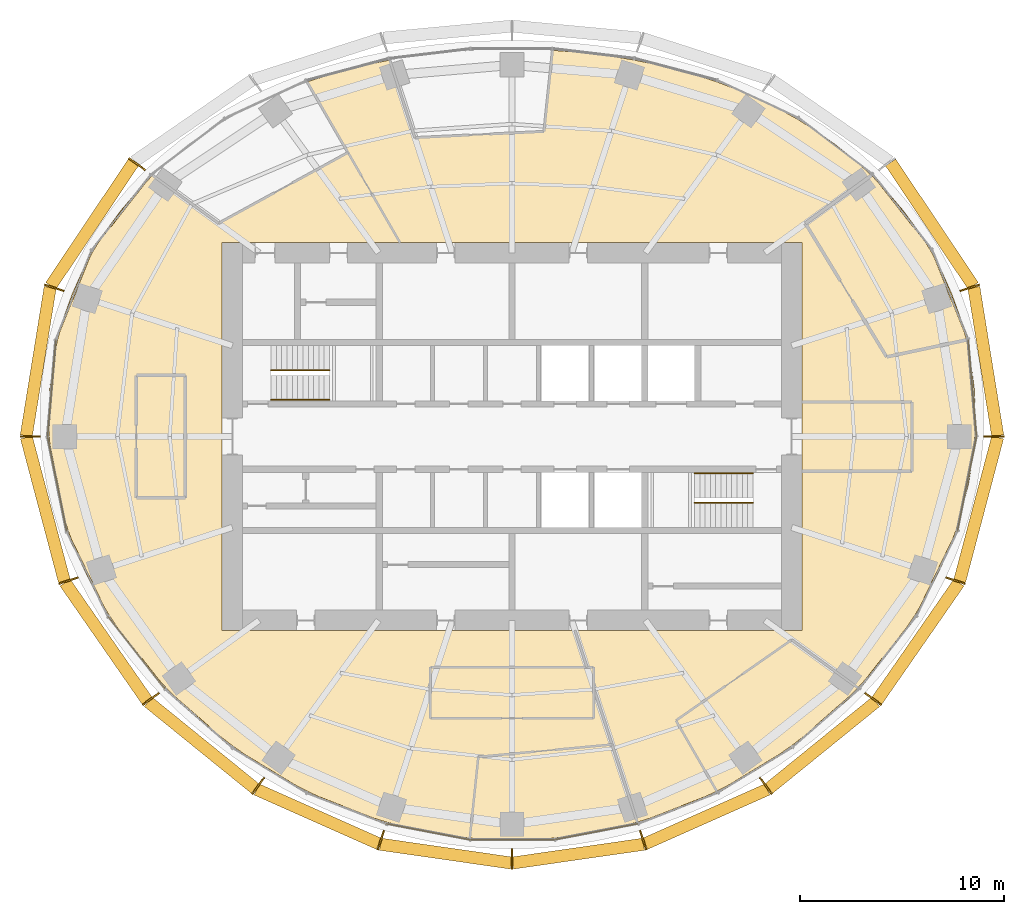
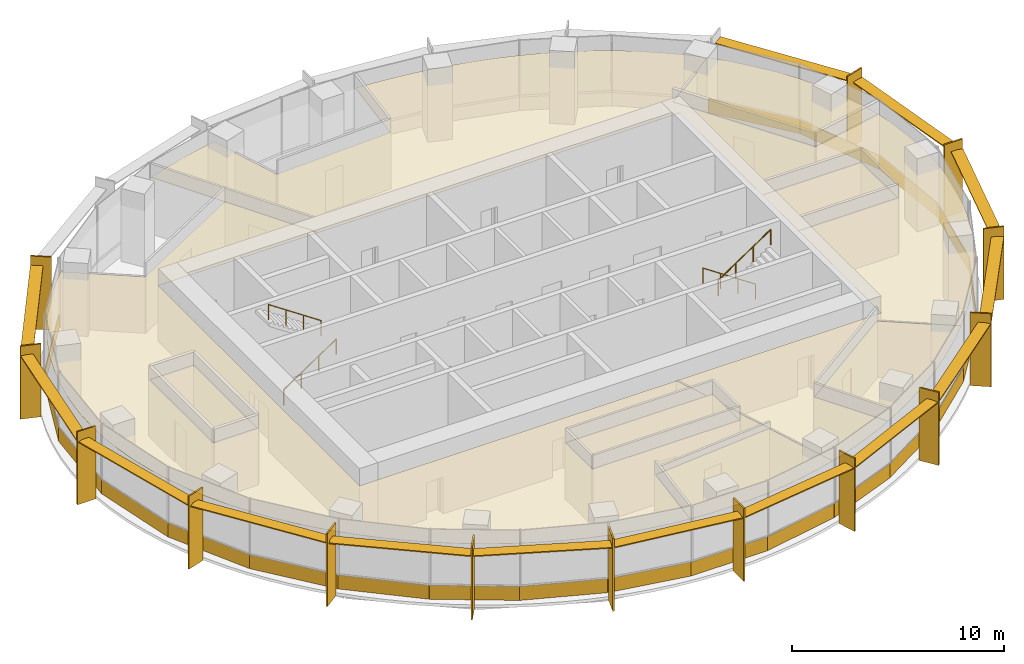
# One storey, part 12 of 13: 29 coverings, 28 shading devices, 4 railings.
"""IFC4 building model written with IfcOpenShell, lengths in metres."""

from ifc_helpers import new_model, si_unit, direction, frame, origin, origin_2d, place, context, subcontext, project, spatial, polyline, rectangle, circle, outline, extrude, material, layer, layer_set, type_object, element, save


model = new_model("IFC4")

# Units and contexts
model_context = context("Model", 3, precision=1e-05, world=origin(), true_north=direction((0.0, 1.0)))
body_context = subcontext(model_context, "Body", "Model", "MODEL_VIEW")
ifc_project = project(units=[si_unit("LENGTHUNIT", "METRE"), si_unit("AREAUNIT", "SQUARE_METRE"), si_unit("VOLUMEUNIT", "CUBIC_METRE"), si_unit("PLANEANGLEUNIT", "RADIAN"), si_unit("MASSUNIT", "GRAM", prefix="KILO")], contexts=[model_context])

# Site, building, storey
site_placement = place(None, origin())
site = spatial("IfcSite", under=ifc_project, at=site_placement, CompositionType="ELEMENT")
building_placement = place(site_placement, origin())
building = spatial("IfcBuilding", under=site, at=building_placement, Name="Marramba Exchange Tower", CompositionType="ELEMENT")
storey_placement = place(building_placement, frame((0.0, 0.0, 256.0)))
storey = spatial("IfcBuildingStorey", under=building, at=storey_placement, Name="L62", CompositionType="ELEMENT", Elevation=256.0)

# Shading devices
ifc_material_1 = material(Name="Aluminium blade, timber-look bronze finish", Category="wood")
ifc_layer_1 = layer(ifc_material_1, 0.080078125)
ifc_layer_set_1 = layer_set([ifc_layer_1], Name="Floor-edge blade 1000x80")
shading_device_type_1 = type_object("IfcShadingDeviceType", Name="Floor-edge blade 1000x80", PredefinedType="USERDEFINED", material=ifc_layer_set_1)
for number, where, z_axis, x_axis, name in (
    (1, (23.60009765625, 0.0, -0.16015625), (0.0, 0.0, 1.0), (1.0, 0.0, 0.0), "Floor-edge blade FB1 L62 TC01"),
    (2, (22.425048828125, 7.286376953125, -0.16015625), (0.0, 0.0, 1.0), (0.951056516295, 0.309016994375, 0.0), "Floor-edge blade FB1 L62 TC02"),
    (3, (-18.361083984375, 13.340087890625, -0.16015625), (0.0, 0.0, 1.0), (-0.809016994375, 0.587785252292, 0.0), "Floor-edge blade FB1 L62 TC09"),
    (4, (-22.425048828125, 7.286376953125, -0.16015625), (0.0, 0.0, 1.0), (-0.951056516295, 0.309016994375, 0.0), "Floor-edge blade FB1 L62 TC10"),
    (5, (-23.60009765625, 0.0, -0.16015625), (0.0, 0.0, 1.0), (-1.0, 0.0, 0.0), "Floor-edge blade FB1 L62 TC11"),
    (6, (-21.72607421875, -7.059326171875, -0.16015625), (0.0, 0.0, 1.0), (-0.951056516295, -0.309016994375, 0.0), "Floor-edge blade FB1 L62 TC12"),
    (7, (-17.690673828125, -12.85302734375, -0.16015625), (0.0, 0.0, 1.0), (-0.809016994375, -0.587785252292, 0.0), "Floor-edge blade FB1 L62 TC13"),
    (8, (-12.4296875, -17.10791015625, -0.16015625), (0.0, 0.0, 1.0), (-0.587785252292, -0.809016994375, 0.0), "Floor-edge blade FB1 L62 TC14"),
    (9, (-6.4248046875, -19.77392578125, -0.16015625), (0.0, 0.0, 1.0), (-0.309016994375, -0.951056516295, 0.0), "Floor-edge blade FB1 L62 TC15"),
    (10, (0.0, -20.696044921875, -0.16015625), (0.0, 0.0, 1.0), (0.0, -1.0, 0.0), "Floor-edge blade FB1 L62 TC16"),
    (11, (6.4248046875, -19.77392578125, -0.16015625), (0.0, 0.0, 1.0), (0.309016994375, -0.951056516295, 0.0), "Floor-edge blade FB1 L62 TC17"),
    (12, (12.4296875, -17.10791015625, -0.16015625), (0.0, 0.0, 1.0), (0.587785252292, -0.809016994375, 0.0), "Floor-edge blade FB1 L62 TC18"),
    (13, (17.690673828125, -12.85302734375, -0.16015625), (0.0, 0.0, 1.0), (0.809016994375, -0.587785252292, 0.0), "Floor-edge blade FB1 L62 TC19"),
    (14, (21.72607421875, -7.059326171875, -0.16015625), (0.0, 0.0, 1.0), (0.951056516295, -0.309016994375, 0.0), "Floor-edge blade FB1 L62 TC20"),
):
    element("IfcShadingDevice", number, at=place(storey_placement, frame(where, z_axis=z_axis, x_axis=x_axis)), inside=storey, type_object=shading_device_type_1, Name=name, ObjectType="FIN", PredefinedType="USERDEFINED", context=body_context, shape_type="SweptSolid", body=[
        extrude(rectangle(XDim=1.0, YDim=0.080078125, at=origin_2d()), origin(), (0.0, 0.0, 1.0), 4.199951171875),
    ])
ifc_material_2 = material(Name="Aluminium sunshade, bronze anodised", Category="aluminium")
ifc_layer_2 = layer(ifc_material_2, 0.06005859375)
ifc_layer_set_2 = layer_set([ifc_layer_2], Name="SUNSHADE blade 600x60")
shading_device_type_2 = type_object("IfcShadingDeviceType", Name="SUNSHADE blade 600x60", PredefinedType="USERDEFINED", material=ifc_layer_set_2)
shading_device_1_placement = place(storey_placement, frame((23.207763671875, 3.674072265625, 3.4599609375), z_axis=(0.0, 0.0, 1.0), x_axis=(-0.159157708434, 0.9872531711, 0.0)))
element("IfcShadingDevice", 15, at=shading_device_1_placement, inside=storey, type_object=shading_device_type_2, Name="Sunshade SS1 L62 bay 01", ObjectType="SUNSHADE", PredefinedType="USERDEFINED", context=body_context, shape_type="SweptSolid", body=[
    extrude(rectangle(XDim=7.363037109375, YDim=0.60009765625, at=origin_2d()), origin(), (0.0, 0.0, 1.0), 0.06005859375),
])
for number, where, z_axis, x_axis, name in (
    (16, (20.569091796875, 10.40283203125, 3.4599609375), (0.0, 0.0, 1.0), (-0.556539553467, 0.830821115179, 0.0), "Sunshade SS1 L62 bay 02"),
    (17, (-20.569091796875, 10.40283203125, 3.4599609375), (0.0, 0.0, 1.0), (-0.556539553467, -0.830821115179, 0.0), "Sunshade SS1 L62 bay 09"),
):
    element("IfcShadingDevice", number, at=place(storey_placement, frame(where, z_axis=z_axis, x_axis=x_axis)), inside=storey, type_object=shading_device_type_2, Name=name, ObjectType="SUNSHADE", PredefinedType="USERDEFINED", context=body_context, shape_type="SweptSolid", body=[
        extrude(rectangle(XDim=7.2734375, YDim=0.60009765625, at=origin_2d()), origin(), (0.0, 0.0, 1.0), 0.06005859375),
    ])
shading_device_2_placement = place(storey_placement, frame((-23.207763671875, 3.674072265625, 3.4599609375), z_axis=(0.0, 0.0, 1.0), x_axis=(-0.159157708434, -0.9872531711, 0.0)))
element("IfcShadingDevice", 18, at=shading_device_2_placement, inside=storey, type_object=shading_device_type_2, Name="Sunshade SS1 L62 bay 10", ObjectType="SUNSHADE", PredefinedType="USERDEFINED", context=body_context, shape_type="SweptSolid", body=[
    extrude(rectangle(XDim=7.363037109375, YDim=0.60009765625, at=origin_2d()), origin(), (0.0, 0.0, 1.0), 0.06005859375),
])
shading_device_3_placement = place(storey_placement, frame((-22.858154296875, -3.560546875, 3.4599609375), z_axis=(0.0, 0.0, 1.0), x_axis=(0.25571852004, -0.966751280583, 0.0)))
element("IfcShadingDevice", 19, at=shading_device_3_placement, inside=storey, type_object=shading_device_type_2, Name="Sunshade SS1 L62 bay 11", ObjectType="SUNSHADE", PredefinedType="USERDEFINED", context=body_context, shape_type="SweptSolid", body=[
    extrude(rectangle(XDim=7.285888671875, YDim=0.60009765625, at=origin_2d()), origin(), (0.0, 0.0, 1.0), 0.06005859375),
])
shading_device_4_placement = place(storey_placement, frame((-19.884521484375, -10.0458984375, 3.4599609375), z_axis=(0.0, 0.0, 1.0), x_axis=(0.570557728211, -0.821257498461, 0.0)))
element("IfcShadingDevice", 20, at=shading_device_4_placement, inside=storey, type_object=shading_device_type_2, Name="Sunshade SS1 L62 bay 12", ObjectType="SUNSHADE", PredefinedType="USERDEFINED", context=body_context, shape_type="SweptSolid", body=[
    extrude(rectangle(XDim=7.042724609375, YDim=0.60009765625, at=origin_2d()), origin(), (0.0, 0.0, 1.0), 0.06005859375),
])
shading_device_5_placement = place(storey_placement, frame((-15.199951171875, -15.1201171875, 3.4599609375), z_axis=(0.0, 0.0, 1.0), x_axis=(0.77692769033, -0.629589837909, 0.0)))
element("IfcShadingDevice", 21, at=shading_device_5_placement, inside=storey, type_object=shading_device_type_2, Name="Sunshade SS1 L62 bay 13", ObjectType="SUNSHADE", PredefinedType="USERDEFINED", context=body_context, shape_type="SweptSolid", body=[
    extrude(rectangle(XDim=6.74853515625, YDim=0.60009765625, at=origin_2d()), origin(), (0.0, 0.0, 1.0), 0.06005859375),
])
shading_device_6_placement = place(storey_placement, frame((-9.51708984375, -18.616943359375, 3.4599609375), z_axis=(0.0, 0.0, 1.0), x_axis=(0.913771139733, -0.406229373864, 0.0)))
element("IfcShadingDevice", 22, at=shading_device_6_placement, inside=storey, type_object=shading_device_type_2, Name="Sunshade SS1 L62 bay 14", ObjectType="SUNSHADE", PredefinedType="USERDEFINED", context=body_context, shape_type="SweptSolid", body=[
    extrude(rectangle(XDim=6.552490234375, YDim=0.60009765625, at=origin_2d()), origin(), (0.0, 0.0, 1.0), 0.06005859375),
])
for number, where, z_axis, x_axis, name in (
    (23, (-3.243408203125, -20.429931640625, 3.4599609375), (0.0, 0.0, 1.0), (0.989836541125, -0.142209781145, 0.0), "Sunshade SS1 L62 bay 15"),
    (24, (3.243408203125, -20.429931640625, 3.4599609375), (0.0, 0.0, 1.0), (0.989836541125, 0.142209781145, 0.0), "Sunshade SS1 L62 bay 16"),
):
    element("IfcShadingDevice", number, at=place(storey_placement, frame(where, z_axis=z_axis, x_axis=x_axis)), inside=storey, type_object=shading_device_type_2, Name=name, ObjectType="SUNSHADE", PredefinedType="USERDEFINED", context=body_context, shape_type="SweptSolid", body=[
        extrude(rectangle(XDim=6.473388671875, YDim=0.60009765625, at=origin_2d()), origin(), (0.0, 0.0, 1.0), 0.06005859375),
    ])
shading_device_7_placement = place(storey_placement, frame((9.51708984375, -18.616943359375, 3.4599609375), z_axis=(0.0, 0.0, 1.0), x_axis=(0.913771139733, 0.406229373864, 0.0)))
element("IfcShadingDevice", 25, at=shading_device_7_placement, inside=storey, type_object=shading_device_type_2, Name="Sunshade SS1 L62 bay 17", ObjectType="SUNSHADE", PredefinedType="USERDEFINED", context=body_context, shape_type="SweptSolid", body=[
    extrude(rectangle(XDim=6.552490234375, YDim=0.60009765625, at=origin_2d()), origin(), (0.0, 0.0, 1.0), 0.06005859375),
])
shading_device_8_placement = place(storey_placement, frame((15.199951171875, -15.1201171875, 3.4599609375), z_axis=(0.0, 0.0, 1.0), x_axis=(0.77692769033, 0.629589837909, 0.0)))
element("IfcShadingDevice", 26, at=shading_device_8_placement, inside=storey, type_object=shading_device_type_2, Name="Sunshade SS1 L62 bay 18", ObjectType="SUNSHADE", PredefinedType="USERDEFINED", context=body_context, shape_type="SweptSolid", body=[
    extrude(rectangle(XDim=6.74853515625, YDim=0.60009765625, at=origin_2d()), origin(), (0.0, 0.0, 1.0), 0.06005859375),
])
shading_device_9_placement = place(storey_placement, frame((19.884521484375, -10.0458984375, 3.4599609375), z_axis=(0.0, 0.0, 1.0), x_axis=(0.570557728211, 0.821257498461, 0.0)))
element("IfcShadingDevice", 27, at=shading_device_9_placement, inside=storey, type_object=shading_device_type_2, Name="Sunshade SS1 L62 bay 19", ObjectType="SUNSHADE", PredefinedType="USERDEFINED", context=body_context, shape_type="SweptSolid", body=[
    extrude(rectangle(XDim=7.042724609375, YDim=0.60009765625, at=origin_2d()), origin(), (0.0, 0.0, 1.0), 0.06005859375),
])
shading_device_10_placement = place(storey_placement, frame((22.858154296875, -3.560546875, 3.4599609375), z_axis=(0.0, 0.0, 1.0), x_axis=(0.25571852004, 0.966751280583, 0.0)))
element("IfcShadingDevice", 28, at=shading_device_10_placement, inside=storey, type_object=shading_device_type_2, Name="Sunshade SS1 L62 bay 20", ObjectType="SUNSHADE", PredefinedType="USERDEFINED", context=body_context, shape_type="SweptSolid", body=[
    extrude(rectangle(XDim=7.285888671875, YDim=0.60009765625, at=origin_2d()), origin(), (0.0, 0.0, 1.0), 0.06005859375),
])

# Coverings
ifc_material_3 = material(Name="Aluminium spandrel panel, bronze anodised, insulated", Category="aluminium")
ifc_layer_3 = layer(ifc_material_3, 0.050048828125)
ifc_layer_set_3 = layer_set([ifc_layer_3], Name="Spandrel panel 800")
covering_type_1 = type_object("IfcCoveringType", Name="Spandrel panel 800", PredefinedType="CLADDING", material=ifc_layer_set_3)
covering_1_placement = place(storey_placement, frame((22.546142578125, 2.37451171875, 0.0), z_axis=(0.0, 0.0, 1.0), x_axis=(-0.085574001482, 0.996331817353, 0.0)))
element("IfcCovering", 29, at=covering_1_placement, inside=storey, type_object=covering_type_1, Name="Spandrel panel SP1 L62 F01", PredefinedType="CLADDING", context=body_context, shape_type="SweptSolid", body=[
    extrude(rectangle(XDim=4.766357421875, YDim=0.050048828125, at=origin_2d()), origin(), (0.0, 0.0, 1.0), 0.800048828125),
])
covering_2_placement = place(storey_placement, frame((21.455810546875, 6.95361328125, 0.0), z_axis=(0.0, 0.0, 1.0), x_axis=(-0.37298308637, 0.927838141748, 0.0)))
element("IfcCovering", 30, at=covering_2_placement, inside=storey, type_object=covering_type_1, Name="Spandrel panel SP1 L62 F02", PredefinedType="CLADDING", context=body_context, shape_type="SweptSolid", body=[
    extrude(rectangle(XDim=4.752197265625, YDim=0.050048828125, at=origin_2d()), origin(), (0.0, 0.0, 1.0), 0.800048828125),
])
for number, where, z_axis, x_axis, name in (
    (31, (19.12158203125, 10.999267578125, 0.0), (0.0, 0.0, 1.0), (-0.618222858348, 0.786002860946, 0.0), "Spandrel panel SP1 L62 F03"),
    (32, (-19.12158203125, 10.999267578125, 0.0), (0.0, 0.0, 1.0), (-0.618222858348, -0.786002860946, 0.0), "Spandrel panel SP1 L62 F13"),
):
    element("IfcCovering", number, at=place(storey_placement, frame(where, z_axis=z_axis, x_axis=x_axis)), inside=storey, type_object=covering_type_1, Name=name, PredefinedType="CLADDING", context=body_context, shape_type="SweptSolid", body=[
        extrude(rectangle(XDim=4.684814453125, YDim=0.050048828125, at=origin_2d()), origin(), (0.0, 0.0, 1.0), 0.800048828125),
    ])
covering_3_placement = place(storey_placement, frame((-21.455810546875, 6.95361328125, 0.0), z_axis=(0.0, 0.0, 1.0), x_axis=(-0.37298308637, -0.927838141748, 0.0)))
element("IfcCovering", 33, at=covering_3_placement, inside=storey, type_object=covering_type_1, Name="Spandrel panel SP1 L62 F14", PredefinedType="CLADDING", context=body_context, shape_type="SweptSolid", body=[
    extrude(rectangle(XDim=4.752197265625, YDim=0.050048828125, at=origin_2d()), origin(), (0.0, 0.0, 1.0), 0.800048828125),
])
covering_4_placement = place(storey_placement, frame((-22.546142578125, 2.37451171875, 0.0), z_axis=(0.0, 0.0, 1.0), x_axis=(-0.085574001482, -0.996331817353, 0.0)))
element("IfcCovering", 34, at=covering_4_placement, inside=storey, type_object=covering_type_1, Name="Spandrel panel SP1 L62 F15", PredefinedType="CLADDING", context=body_context, shape_type="SweptSolid", body=[
    extrude(rectangle(XDim=4.766357421875, YDim=0.050048828125, at=origin_2d()), origin(), (0.0, 0.0, 1.0), 0.800048828125),
])
covering_5_placement = place(storey_placement, frame((-22.282470703125, -2.318359375, 0.0), z_axis=(0.0, 0.0, 1.0), x_axis=(0.197670531369, -0.980268514759, 0.0)))
element("IfcCovering", 35, at=covering_5_placement, inside=storey, type_object=covering_type_1, Name="Spandrel panel SP1 L62 F16", PredefinedType="CLADDING", context=body_context, shape_type="SweptSolid", body=[
    extrude(rectangle(XDim=4.730224609375, YDim=0.050048828125, at=origin_2d()), origin(), (0.0, 0.0, 1.0), 0.800048828125),
])
covering_6_placement = place(storey_placement, frame((-20.802490234375, -6.723876953125, 0.0), z_axis=(0.0, 0.0, 1.0), x_axis=(0.436514592932, -0.89969717692, 0.0)))
element("IfcCovering", 36, at=covering_6_placement, inside=storey, type_object=covering_type_1, Name="Spandrel panel SP1 L62 F17", PredefinedType="CLADDING", context=body_context, shape_type="SweptSolid", body=[
    extrude(rectangle(XDim=4.639404296875, YDim=0.050048828125, at=origin_2d()), origin(), (0.0, 0.0, 1.0), 0.800048828125),
])
covering_7_placement = place(storey_placement, frame((-18.396484375, -10.582275390625, 0.0), z_axis=(0.0, 0.0, 1.0), x_axis=(0.618290638357, -0.785949544513, 0.0)))
element("IfcCovering", 37, at=covering_7_placement, inside=storey, type_object=covering_type_1, Name="Spandrel panel SP1 L62 F18", PredefinedType="CLADDING", context=body_context, shape_type="SweptSolid", body=[
    extrude(rectangle(XDim=4.50732421875, YDim=0.050048828125, at=origin_2d()), origin(), (0.0, 0.0, 1.0), 0.800048828125),
])
covering_8_placement = place(storey_placement, frame((-15.358154296875, -13.791748046875, 0.0), z_axis=(0.0, 0.0, 1.0), x_axis=(0.752751054625, -0.658305286141, 0.0)))
element("IfcCovering", 38, at=covering_8_placement, inside=storey, type_object=covering_type_1, Name="Spandrel panel SP1 L62 F19", PredefinedType="CLADDING", context=body_context, shape_type="SweptSolid", body=[
    extrude(rectangle(XDim=4.3701171875, YDim=0.050048828125, at=origin_2d()), origin(), (0.0, 0.0, 1.0), 0.800048828125),
])
covering_9_placement = place(storey_placement, frame((-11.89208984375, -16.336669921875, 0.0), z_axis=(0.0, 0.0, 1.0), x_axis=(0.854704332048, -0.519115117077, 0.0)))
element("IfcCovering", 39, at=covering_9_placement, inside=storey, type_object=covering_type_1, Name="Spandrel panel SP1 L62 F20", PredefinedType="CLADDING", context=body_context, shape_type="SweptSolid", body=[
    extrude(rectangle(XDim=4.261962890625, YDim=0.050048828125, at=origin_2d()), origin(), (0.0, 0.0, 1.0), 0.800048828125),
])
covering_10_placement = place(storey_placement, frame((-8.116455078125, -18.2041015625, 0.0), z_axis=(0.0, 0.0, 1.0), x_axis=(0.931785135173, -0.363010277914, 0.0)))
element("IfcCovering", 40, at=covering_10_placement, inside=storey, type_object=covering_type_1, Name="Spandrel panel SP1 L62 F21", PredefinedType="CLADDING", context=body_context, shape_type="SweptSolid", body=[
    extrude(rectangle(XDim=4.194580078125, YDim=0.050048828125, at=origin_2d()), origin(), (0.0, 0.0, 1.0), 0.800048828125),
])
covering_11_placement = place(storey_placement, frame((-4.118896484375, -19.356201171875, 0.0), z_axis=(0.0, 0.0, 1.0), x_axis=(0.982193292652, -0.187873190928, 0.0)))
element("IfcCovering", 41, at=covering_11_placement, inside=storey, type_object=covering_type_1, Name="Spandrel panel SP1 L62 F22", PredefinedType="CLADDING", context=body_context, shape_type="SweptSolid", body=[
    extrude(rectangle(XDim=4.160888671875, YDim=0.050048828125, at=origin_2d()), origin(), (0.0, 0.0, 1.0), 0.800048828125),
])
covering_12_placement = place(storey_placement, frame((0.0, -19.7470703125, 0.0), z_axis=(0.0, 0.0, 1.0), x_axis=(1.0, 0.0, 0.0)))
element("IfcCovering", 42, at=covering_12_placement, inside=storey, type_object=covering_type_1, Name="Spandrel panel SP1 L62 F23", PredefinedType="CLADDING", context=body_context, shape_type="SweptSolid", body=[
    extrude(rectangle(XDim=4.151123046875, YDim=0.050048828125, at=origin_2d()), origin(), (0.0, 0.0, 1.0), 0.800048828125),
])
covering_13_placement = place(storey_placement, frame((4.118896484375, -19.356201171875, 0.0), z_axis=(0.0, 0.0, 1.0), x_axis=(0.982193292652, 0.187873190928, 0.0)))
element("IfcCovering", 43, at=covering_13_placement, inside=storey, type_object=covering_type_1, Name="Spandrel panel SP1 L62 F24", PredefinedType="CLADDING", context=body_context, shape_type="SweptSolid", body=[
    extrude(rectangle(XDim=4.160888671875, YDim=0.050048828125, at=origin_2d()), origin(), (0.0, 0.0, 1.0), 0.800048828125),
])
covering_14_placement = place(storey_placement, frame((8.116455078125, -18.2041015625, 0.0), z_axis=(0.0, 0.0, 1.0), x_axis=(0.931785135173, 0.363010277914, 0.0)))
element("IfcCovering", 44, at=covering_14_placement, inside=storey, type_object=covering_type_1, Name="Spandrel panel SP1 L62 F25", PredefinedType="CLADDING", context=body_context, shape_type="SweptSolid", body=[
    extrude(rectangle(XDim=4.194580078125, YDim=0.050048828125, at=origin_2d()), origin(), (0.0, 0.0, 1.0), 0.800048828125),
])
covering_15_placement = place(storey_placement, frame((11.89208984375, -16.336669921875, 0.0), z_axis=(0.0, 0.0, 1.0), x_axis=(0.854704332048, 0.519115117077, 0.0)))
element("IfcCovering", 45, at=covering_15_placement, inside=storey, type_object=covering_type_1, Name="Spandrel panel SP1 L62 F26", PredefinedType="CLADDING", context=body_context, shape_type="SweptSolid", body=[
    extrude(rectangle(XDim=4.261962890625, YDim=0.050048828125, at=origin_2d()), origin(), (0.0, 0.0, 1.0), 0.800048828125),
])
covering_16_placement = place(storey_placement, frame((15.358154296875, -13.791748046875, 0.0), z_axis=(0.0, 0.0, 1.0), x_axis=(0.752751054625, 0.658305286141, 0.0)))
element("IfcCovering", 46, at=covering_16_placement, inside=storey, type_object=covering_type_1, Name="Spandrel panel SP1 L62 F27", PredefinedType="CLADDING", context=body_context, shape_type="SweptSolid", body=[
    extrude(rectangle(XDim=4.3701171875, YDim=0.050048828125, at=origin_2d()), origin(), (0.0, 0.0, 1.0), 0.800048828125),
])
covering_17_placement = place(storey_placement, frame((18.396484375, -10.582275390625, 0.0), z_axis=(0.0, 0.0, 1.0), x_axis=(0.618290638357, 0.785949544513, 0.0)))
element("IfcCovering", 47, at=covering_17_placement, inside=storey, type_object=covering_type_1, Name="Spandrel panel SP1 L62 F28", PredefinedType="CLADDING", context=body_context, shape_type="SweptSolid", body=[
    extrude(rectangle(XDim=4.50732421875, YDim=0.050048828125, at=origin_2d()), origin(), (0.0, 0.0, 1.0), 0.800048828125),
])
covering_18_placement = place(storey_placement, frame((20.802490234375, -6.723876953125, 0.0), z_axis=(0.0, 0.0, 1.0), x_axis=(0.436514592932, 0.89969717692, 0.0)))
element("IfcCovering", 48, at=covering_18_placement, inside=storey, type_object=covering_type_1, Name="Spandrel panel SP1 L62 F29", PredefinedType="CLADDING", context=body_context, shape_type="SweptSolid", body=[
    extrude(rectangle(XDim=4.639404296875, YDim=0.050048828125, at=origin_2d()), origin(), (0.0, 0.0, 1.0), 0.800048828125),
])
covering_19_placement = place(storey_placement, frame((22.282470703125, -2.318359375, 0.0), z_axis=(0.0, 0.0, 1.0), x_axis=(0.197670531369, 0.980268514759, 0.0)))
element("IfcCovering", 49, at=covering_19_placement, inside=storey, type_object=covering_type_1, Name="Spandrel panel SP1 L62 F30", PredefinedType="CLADDING", context=body_context, shape_type="SweptSolid", body=[
    extrude(rectangle(XDim=4.730224609375, YDim=0.050048828125, at=origin_2d()), origin(), (0.0, 0.0, 1.0), 0.800048828125),
])

# Railings
ifc_material_4 = material(Name="Stainless steel handrail", Category="steel")
railing_type = type_object("IfcRailingType", Name="Stair handrail 900", PredefinedType="HANDRAIL", material=ifc_material_4)
railing_1_placement = place(storey_placement, frame((-11.800048828125, 1.800048828125, 0.175048828125)))
element("IfcRailing", 50, at=railing_1_placement, inside=storey, type_object=railing_type, Name="Handrail HR1 ST1 L62 flight 1", PredefinedType="HANDRAIL", context=body_context, shape_type="SweptSolid", body=[
    extrude(circle(Radius=0.02392578125, at=origin_2d()), frame((0.0, 0.0, 0.8759765625), z_axis=(0.829590901723, 0.0, 0.558371682465), x_axis=(0.0, 1.0, 0.0)), (0.0, 0.0, 1.0), 3.447509765625),
    extrude(circle(Radius=0.02099609375, at=origin_2d()), origin(), (0.0, 0.0, 1.0), 0.851806640625),
    extrude(circle(Radius=0.02099609375, at=origin_2d()), frame((0.953369140625, 0.0, 0.6416015625)), (0.0, 0.0, 1.0), 0.851806640625),
    extrude(circle(Radius=0.02099609375, at=origin_2d()), frame((1.90673828125, 0.0, 1.283447265625)), (0.0, 0.0, 1.0), 0.851806640625),
    extrude(circle(Radius=0.02099609375, at=origin_2d()), frame((2.860107421875, 0.0, 1.925048828125)), (0.0, 0.0, 1.0), 0.851806640625),
])
for number, where, name in (
    (51, (-8.93994140625, 3.25, 2.27490234375), "Handrail HR1 ST1 L62 flight 2"),
    (52, (11.800048828125, -1.800048828125, 0.175048828125), "Handrail HR1 ST2 L62 flight 1"),
):
    element("IfcRailing", number, at=place(storey_placement, frame(where)), inside=storey, type_object=railing_type, Name=name, PredefinedType="HANDRAIL", context=body_context, shape_type="SweptSolid", body=[
        extrude(circle(Radius=0.02392578125, at=origin_2d()), frame((0.0, 0.0, 0.8759765625), z_axis=(-0.829590901723, 0.0, 0.558371682465), x_axis=(0.0, -1.0, 0.0)), (0.0, 0.0, 1.0), 3.447509765625),
        extrude(circle(Radius=0.02099609375, at=origin_2d()), origin(), (0.0, 0.0, 1.0), 0.851806640625),
        extrude(circle(Radius=0.02099609375, at=origin_2d()), frame((-0.953369140625, 0.0, 0.6416015625)), (0.0, 0.0, 1.0), 0.851806640625),
        extrude(circle(Radius=0.02099609375, at=origin_2d()), frame((-1.90673828125, 0.0, 1.283447265625)), (0.0, 0.0, 1.0), 0.851806640625),
        extrude(circle(Radius=0.02099609375, at=origin_2d()), frame((-2.860107421875, 0.0, 1.925048828125)), (0.0, 0.0, 1.0), 0.851806640625),
    ])
railing_2_placement = place(storey_placement, frame((8.93994140625, -3.25, 2.27490234375)))
element("IfcRailing", 53, at=railing_2_placement, inside=storey, type_object=railing_type, Name="Handrail HR1 ST2 L62 flight 2", PredefinedType="HANDRAIL", context=body_context, shape_type="SweptSolid", body=[
    extrude(circle(Radius=0.02392578125, at=origin_2d()), frame((0.0, 0.0, 0.8759765625), z_axis=(0.829590901723, 0.0, 0.558371682465), x_axis=(0.0, 1.0, 0.0)), (0.0, 0.0, 1.0), 3.447509765625),
    extrude(circle(Radius=0.02099609375, at=origin_2d()), origin(), (0.0, 0.0, 1.0), 0.851806640625),
    extrude(circle(Radius=0.02099609375, at=origin_2d()), frame((0.953369140625, 0.0, 0.6416015625)), (0.0, 0.0, 1.0), 0.851806640625),
    extrude(circle(Radius=0.02099609375, at=origin_2d()), frame((1.90673828125, 0.0, 1.283447265625)), (0.0, 0.0, 1.0), 0.851806640625),
    extrude(circle(Radius=0.02099609375, at=origin_2d()), frame((2.860107421875, 0.0, 1.925048828125)), (0.0, 0.0, 1.0), 0.851806640625),
])

# Coverings
ifc_material_5 = material(Name="Mineral fibre ceiling tiles", Category="gypsum")
ifc_layer_4 = layer(ifc_material_5, 0.02001953125)
ifc_layer_set_4 = layer_set([ifc_layer_4], Name="Suspended ceiling 20")
covering_type_2 = type_object("IfcCoveringType", Name="Suspended ceiling 20", PredefinedType="CEILING", material=ifc_layer_set_4)
covering_20_placement = place(storey_placement, frame((0.0, 0.0, 3.199951171875)))
element("IfcCovering", 54, at=covering_20_placement, inside=storey, type_object=covering_type_2, Name="Ceiling CL1 L62 Executive Lounge", PredefinedType="CEILING", context=body_context, shape_type="SweptSolid", body=[
    extrude(outline(polyline([(14.199951171875, -1.699951171875), (19.60009765625, -1.699951171875), (19.60009765625, 1.699951171875), (14.199951171875, 1.699951171875), (14.199951171875, 9.5), (-5.48486328125, 9.5), (-10.030517578125, 17.37353515625), (-9.021240234375, 17.705078125), (-8.010498046875, 17.99169921875), (-7.0, 18.23583984375), (-5.99169921875, 18.44091796875), (-4.755615234375, 14.63671875), (1.5703125, 14.939208984375), (1.98828125, 18.91748046875), (2.98486328125, 18.845703125), (3.984130859375, 18.74365234375), (4.986328125, 18.609375), (5.99169921875, 18.44091796875), (7.0, 18.23583984375), (8.010498046875, 17.99169921875), (9.021240234375, 17.705078125), (10.030517578125, 17.37353515625), (11.035888671875, 16.993896484375), (12.033935546875, 16.563232421875), (13.020751953125, 16.079345703125), (13.99169921875, 15.539306640625), (14.94189453125, 14.94189453125), (15.865478515625, 14.285400390625), (16.756591796875, 13.569091796875), (17.608642578125, 12.79345703125), (14.37255859375, 10.4423828125), (18.351318359375, 3.900634765625), (22.263916015625, 4.732421875), (22.4970703125, 3.563232421875), (22.642333984375, 2.3798828125), (22.69970703125, 1.189697265625), (22.669921875, 0.0), (22.555419921875, -1.18212890625), (22.35888671875, -2.35009765625), (22.08447265625, -3.497802734375), (21.73681640625, -4.620361328125), (21.32080078125, -5.712890625), (20.841796875, -6.77197265625), (20.305419921875, -7.79443359375), (19.716796875, -8.7783203125), (19.081298828125, -9.722412109375), (18.403564453125, -10.625244140625), (17.68798828125, -11.48681640625), (16.938232421875, -12.306396484375), (13.7021484375, -9.955322265625), (8.030517578125, -13.909423828125), (10.030517578125, -17.37353515625), (9.0791015625, -17.818603515625), (8.1123046875, -18.22021484375), (7.131103515625, -18.577392578125), (6.137451171875, -18.889404296875), (4.0, -12.310791015625), (4.0, -11.300048828125), (3.671630859375, -11.300048828125), (3.086669921875, -9.5), (14.199951171875, -9.5), (14.199951171875, -1.699951171875)])), origin(), (0.0, 0.0, 1.0), 0.02001953125),
])
covering_21_placement = place(storey_placement, frame((0.0, 0.0, 3.199951171875)))
element("IfcCovering", 55, at=covering_21_placement, inside=storey, type_object=covering_type_2, Name="Ceiling CL1 L62 Directors' Lounge", PredefinedType="CEILING", context=body_context, shape_type="SweptSolid", body=[
    extrude(outline(polyline([(-14.199951171875, -9.5), (3.086669921875, -9.5), (3.671630859375, -11.300048828125), (-4.0, -11.300048828125), (-4.0, -13.800048828125), (4.0, -13.800048828125), (4.0, -12.310791015625), (4.9013671875, -15.085205078125), (-1.64892578125, -15.689453125), (-2.067138671875, -19.66748046875), (-3.095703125, -19.544921875), (-4.1181640625, -19.373779296875), (-5.132568359375, -19.155029296875), (-6.137451171875, -18.889404296875), (-7.131103515625, -18.577392578125), (-8.1123046875, -18.22021484375), (-9.0791015625, -17.818603515625), (-10.030517578125, -17.37353515625), (-10.9658203125, -16.885498046875), (-11.883056640625, -16.355712890625), (-12.781494140625, -15.783935546875), (-13.659912109375, -15.1708984375), (-14.5166015625, -14.5166015625), (-15.35009765625, -13.8212890625), (-16.158203125, -13.08447265625), (-16.938232421875, -12.306396484375), (-17.68798828125, -11.48681640625), (-18.403564453125, -10.625244140625), (-19.081298828125, -9.722412109375), (-19.716796875, -8.7783203125), (-20.305419921875, -7.79443359375), (-20.841796875, -6.77197265625), (-21.32080078125, -5.712890625), (-21.73681640625, -4.620361328125), (-22.08447265625, -3.497802734375), (-22.35888671875, -2.35009765625), (-22.555419921875, -1.18212890625), (-22.669921875, 0.0), (-22.69970703125, 1.189697265625), (-22.642333984375, 2.3798828125), (-22.4970703125, 3.563232421875), (-22.263916015625, 4.732421875), (-21.9443359375, 5.8798828125), (-21.540771484375, 6.9990234375), (-21.056640625, 8.0830078125), (-20.49658203125, 9.125732421875), (-19.86572265625, 10.1220703125), (-19.169921875, 11.067626953125), (-18.415283203125, 11.958984375), (-17.608642578125, 12.79345703125), (-14.37255859375, 10.4423828125), (-8.030517578125, 13.909423828125), (-5.48486328125, 9.5), (-14.199951171875, 9.5), (-14.199951171875, -9.5)]), holes=[polyline([(-18.39990234375, -3.0), (-16.0, -3.0), (-16.0, 3.0), (-18.39990234375, 3.0), (-18.39990234375, -3.0)])]), origin(), (0.0, 0.0, 1.0), 0.02001953125),
])
covering_22_placement = place(storey_placement, frame((0.0, 0.0, 3.199951171875)))
element("IfcCovering", 56, at=covering_22_placement, inside=storey, type_object=covering_type_2, Name="Ceiling CL1 L62 Corridor", PredefinedType="CEILING", context=body_context, shape_type="SweptSolid", body=[
    extrude(outline(polyline([(14.199951171875, -1.699951171875), (14.199951171875, 1.699951171875), (19.60009765625, 1.699951171875), (19.60009765625, -1.699951171875), (14.199951171875, -1.699951171875)])), origin(), (0.0, 0.0, 1.0), 0.02001953125),
])
covering_23_placement = place(storey_placement, frame((0.0, 0.0, 3.199951171875)))
element("IfcCovering", 57, at=covering_23_placement, inside=storey, type_object=covering_type_2, Name="Ceiling CL1 L62 Boardroom", PredefinedType="CEILING", context=body_context, shape_type="SweptSolid", body=[
    extrude(outline(polyline([(17.793701171875, 12.60205078125), (18.415283203125, 11.958984375), (18.61181640625, 11.726806640625), (19.169921875, 11.067626953125), (19.562744140625, 10.53369140625), (19.86572265625, 10.1220703125), (20.49658203125, 9.125732421875), (20.89794921875, 8.37841796875), (21.056640625, 8.0830078125), (21.35400390625, 7.416748046875), (21.540771484375, 6.9990234375), (21.9443359375, 5.8798828125), (22.263916015625, 4.732421875), (18.351318359375, 3.900634765625), (14.37255859375, 10.4423828125), (17.608642578125, 12.79345703125), (17.793701171875, 12.60205078125)])), origin(), (0.0, 0.0, 1.0), 0.02001953125),
])
covering_24_placement = place(storey_placement, frame((0.0, 0.0, 3.199951171875)))
element("IfcCovering", 58, at=covering_24_placement, inside=storey, type_object=covering_type_2, Name="Ceiling CL1 L62 Executive Office 3", PredefinedType="CEILING", context=body_context, shape_type="SweptSolid", body=[
    extrude(outline(polyline([(5.132568359375, -19.155029296875), (4.1181640625, -19.373779296875), (3.095703125, -19.544921875), (2.130126953125, -19.66015625), (2.067138671875, -19.66748046875), (1.03466796875, -19.741455078125), (0.0, -19.76611328125), (-1.03466796875, -19.741455078125), (-2.067138671875, -19.66748046875), (-1.64892578125, -15.689453125), (4.9013671875, -15.085205078125), (6.137451171875, -18.889404296875), (5.69287109375, -19.007080078125), (5.132568359375, -19.155029296875)])), origin(), (0.0, 0.0, 1.0), 0.02001953125),
])
covering_25_placement = place(storey_placement, frame((0.0, 0.0, 3.199951171875)))
element("IfcCovering", 59, at=covering_25_placement, inside=storey, type_object=covering_type_2, Name="Ceiling CL1 L62 Executive Office 4", PredefinedType="CEILING", context=body_context, shape_type="SweptSolid", body=[
    extrude(outline(polyline([(16.216796875, -13.02587890625), (16.158203125, -13.08447265625), (15.35009765625, -13.8212890625), (14.5166015625, -14.5166015625), (13.659912109375, -15.1708984375), (12.781494140625, -15.783935546875), (11.947509765625, -16.314697265625), (11.883056640625, -16.355712890625), (10.9658203125, -16.885498046875), (10.927490234375, -16.905517578125), (10.030517578125, -17.37353515625), (8.030517578125, -13.909423828125), (13.7021484375, -9.955322265625), (16.938232421875, -12.306396484375), (16.216796875, -13.02587890625)])), origin(), (0.0, 0.0, 1.0), 0.02001953125),
])
covering_26_placement = place(storey_placement, frame((0.0, 0.0, 3.199951171875)))
element("IfcCovering", 60, at=covering_26_placement, inside=storey, type_object=covering_type_2, Name="Ceiling CL1 L62 Meeting Room", PredefinedType="CEILING", context=body_context, shape_type="SweptSolid", body=[
    extrude(outline(polyline([(-16.0, -3.0), (-18.39990234375, -3.0), (-18.39990234375, 3.0), (-16.0, 3.0), (-16.0, -3.0)])), origin(), (0.0, 0.0, 1.0), 0.02001953125),
])
covering_27_placement = place(storey_placement, frame((0.0, 0.0, 3.199951171875)))
element("IfcCovering", 61, at=covering_27_placement, inside=storey, type_object=covering_type_2, Name="Ceiling CL1 L62 Pantry", PredefinedType="CEILING", context=body_context, shape_type="SweptSolid", body=[
    extrude(outline(polyline([(4.0, -11.300048828125), (4.0, -13.800048828125), (-4.0, -13.800048828125), (-4.0, -11.300048828125), (4.0, -11.300048828125)])), origin(), (0.0, 0.0, 1.0), 0.02001953125),
])

save(model, "model.ifc")
